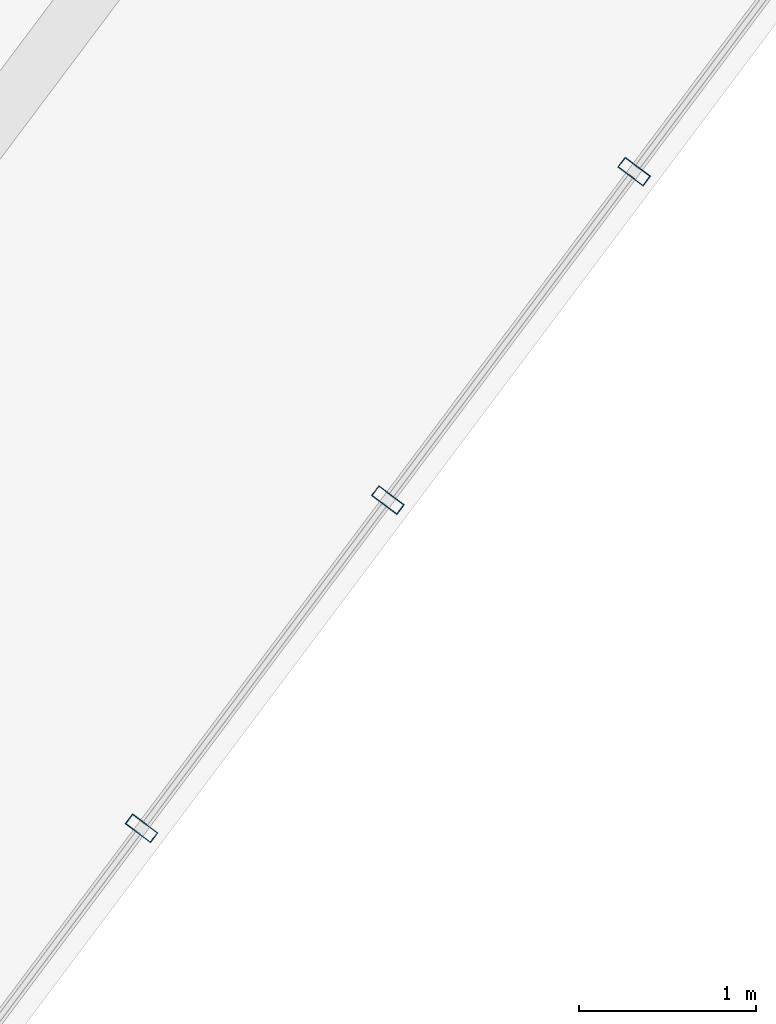
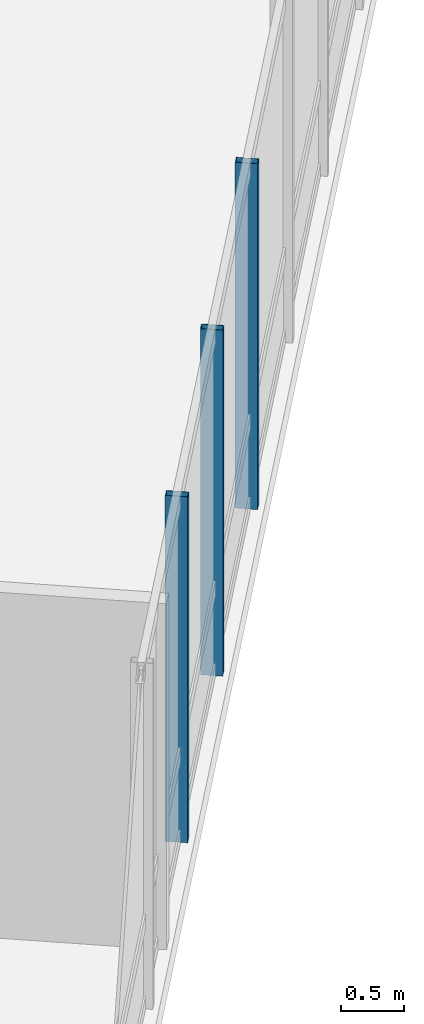
# One storey, part 11 of 25: 3 members, 1 element without a shape of its own.
"""IFC4 building model written with IfcOpenShell, lengths in metres."""

from ifc_helpers import new_model, si_unit, direction, frame, origin, origin_2d, place, context, subcontext, project, spatial, hollow_rectangle, extrude, material, layer, layer_set, material_profile, profile_set, type_object, element, aggregate, save


model = new_model("IFC4")

# Units and contexts
model_context = context("Model", 3, precision=1e-05, world=origin(), true_north=direction((0.0, 1.0)))
body_context = subcontext(model_context, "Body", "Model", "MODEL_VIEW")
ifc_project = project(units=[si_unit("LENGTHUNIT", "METRE"), si_unit("AREAUNIT", "SQUARE_METRE"), si_unit("VOLUMEUNIT", "CUBIC_METRE"), si_unit("PLANEANGLEUNIT", "RADIAN"), si_unit("MASSUNIT", "GRAM", prefix="KILO")], contexts=[model_context])

# Site, building, storey
site_placement = place(None, origin())
site = spatial("IfcSite", under=ifc_project, at=site_placement, CompositionType="ELEMENT")
building_placement = place(site_placement, origin())
building = spatial("IfcBuilding", under=site, at=building_placement, Name="Hatsunagi Terrace Concourse", CompositionType="ELEMENT")
storey_placement = place(building_placement, frame((0.0, 0.0, 220.35009765625)))
storey = spatial("IfcBuildingStorey", under=building, at=storey_placement, Name="L58", CompositionType="ELEMENT", Elevation=220.35009765625)

# Curtain wall, members
ifc_material_1 = material(Name="Anodised Aluminium Alloy 6063-T5", Category="aluminium")
ifc_layer = layer(ifc_material_1, 0.199951171875)
ifc_layer_set = layer_set([ifc_layer], Name="OfficeZone2_CW04")
curtain_wall_type = type_object("IfcCurtainWallType", Name="OfficeZone2_CW04", PredefinedType="NOTDEFINED", material=ifc_layer_set)
curtain_wall_placement = place(storey_placement, origin())
curtain_wall = element("IfcCurtainWall", 1, at=curtain_wall_placement, inside=storey, type_object=curtain_wall_type, Name="Unitised Curtain Wall CW-04 CW-L58-03", PredefinedType="NOTDEFINED")
ifc_material_2 = material(Name="Anodised Aluminium Alloy 6063-T5", Category="aluminium")
ifc_material_profile = material_profile(ifc_material_2, hollow_rectangle(XDim=0.070068359375, YDim=0.179931640625, WallThickness=0.00390625, at=origin_2d()), Name="ALU-MUL-180x70x4")
ifc_profile_set = profile_set([ifc_material_profile], Name="Anodised Aluminium Alloy 6063-T5")
member_type = type_object("IfcMemberType", Name="CurtainWallMullion_180x70", PredefinedType="MULLION", material=ifc_profile_set)
member_1_placement = place(storey_placement, frame((53.73193359375, 16.676025390625, 0.0), z_axis=(0.0, 0.0, 1.0), x_axis=(-0.599969314634, -0.800023013105, 0.0)))
member_1 = element("IfcMember", 2, at=member_1_placement, type_object=member_type, Name="Curtain Wall Mullion MUL-02", PredefinedType="MULLION", context=body_context, shape_type="SweptSolid", body=[
    extrude(hollow_rectangle(XDim=0.070068359375, YDim=0.179931640625, WallThickness=0.00390625, at=origin_2d()), origin(), (0.0, 0.0, 1.0), 3.349853515625),
])
member_2_placement = place(storey_placement, frame((52.340087890625, 14.819091796875, 0.0), z_axis=(0.0, 0.0, 1.0), x_axis=(-0.599969314634, -0.800023013105, 0.0)))
member_2 = element("IfcMember", 3, at=member_2_placement, type_object=member_type, Name="Curtain Wall Mullion MUL-02", PredefinedType="MULLION", context=body_context, shape_type="SweptSolid", body=[
    extrude(hollow_rectangle(XDim=0.070068359375, YDim=0.179931640625, WallThickness=0.00390625, at=origin_2d()), origin(), (0.0, 0.0, 1.0), 3.349853515625),
])
member_3_placement = place(storey_placement, frame((50.947021484375, 12.962890625, 0.0), z_axis=(0.0, 0.0, 1.0), x_axis=(-0.599969314634, -0.800023013105, 0.0)))
member_3 = element("IfcMember", 4, at=member_3_placement, type_object=member_type, Name="Curtain Wall Mullion MUL-02", PredefinedType="MULLION", context=body_context, shape_type="SweptSolid", body=[
    extrude(hollow_rectangle(XDim=0.070068359375, YDim=0.179931640625, WallThickness=0.00390625, at=origin_2d()), origin(), (0.0, 0.0, 1.0), 3.349853515625),
])
aggregate(curtain_wall, [member_1, member_2, member_3])

save(model, "model.ifc")
